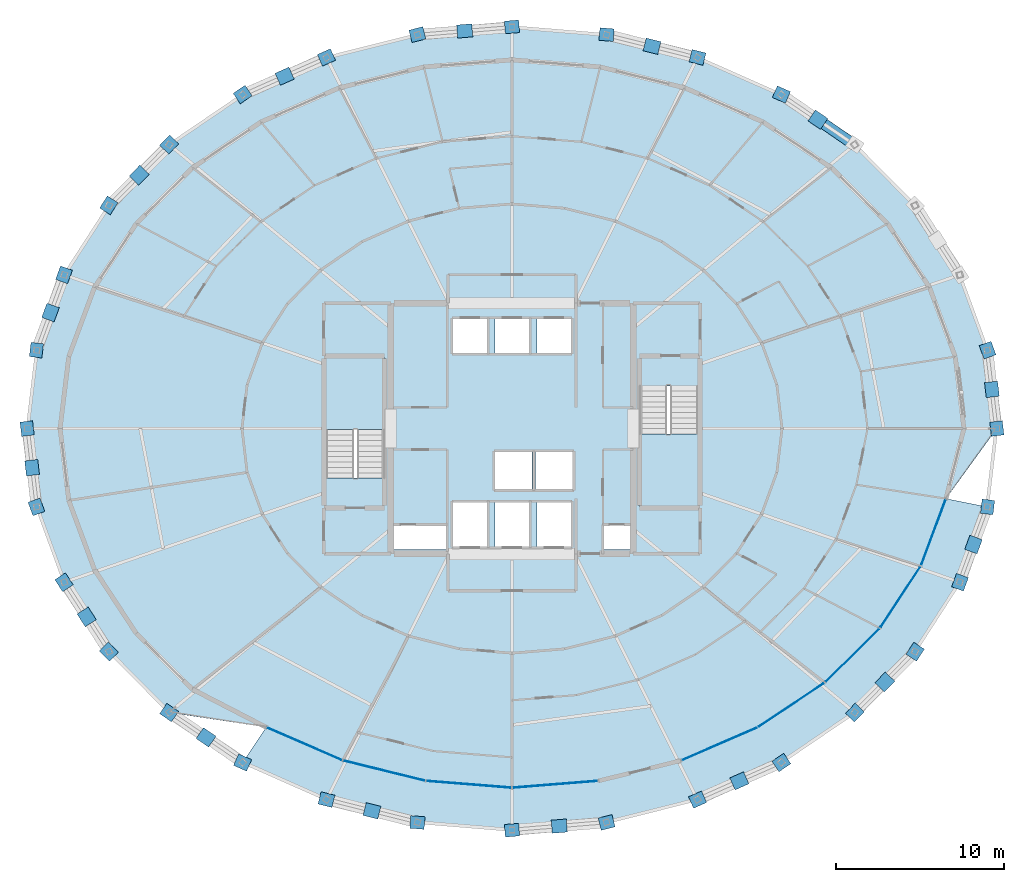
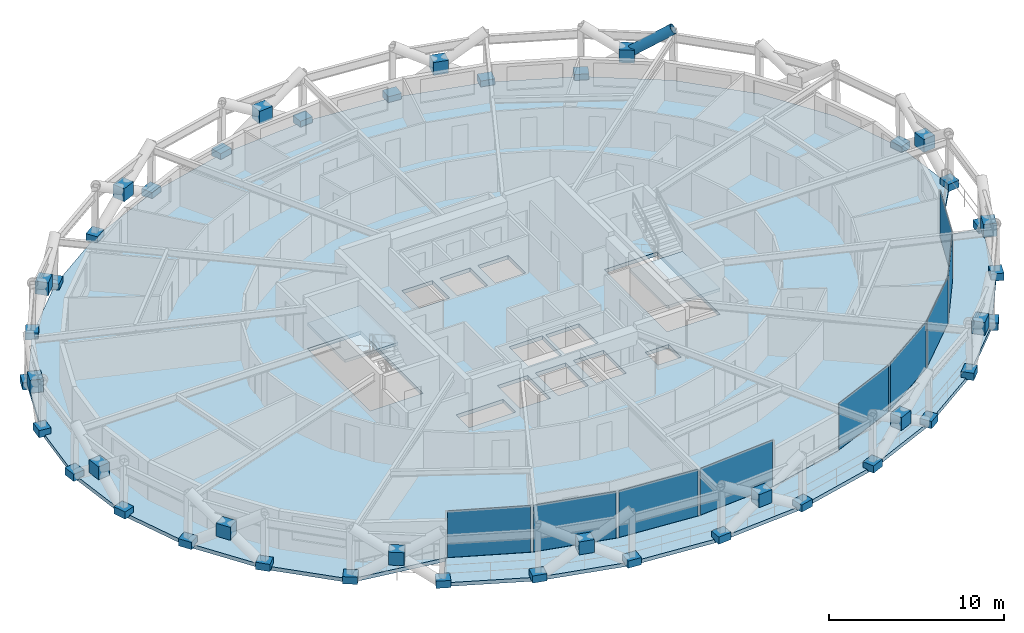
# One storey, part 14 of 23: 53 plates, 4 slabs, 1 member, 4 elements without a shape of their own.
"""IFC4 building model written with IfcOpenShell, lengths in metres."""

from ifc_helpers import new_model, si_unit, direction, frame, origin, origin_2d, place, context, subcontext, project, spatial, polyline, rectangle, hollow_circle, outline, extrude, material, layer, layer_set, material_profile, profile_set, type_object, element, aggregate, save


model = new_model("IFC4")

# Units and contexts
model_context = context("Model", 3, precision=1e-05, world=origin(), true_north=direction((0.0, 1.0)))
body_context = subcontext(model_context, "Body", "Model", "MODEL_VIEW")
ifc_project = project(units=[si_unit("LENGTHUNIT", "METRE"), si_unit("AREAUNIT", "SQUARE_METRE"), si_unit("VOLUMEUNIT", "CUBIC_METRE"), si_unit("PLANEANGLEUNIT", "RADIAN"), si_unit("MASSUNIT", "GRAM", prefix="KILO")], contexts=[model_context])

# Site, building, storey
site_placement = place(None, origin())
site = spatial("IfcSite", under=ifc_project, at=site_placement, CompositionType="ELEMENT")
building_placement = place(site_placement, origin())
building = spatial("IfcBuilding", under=site, at=building_placement, Name="Veldorina Hangang Commons", CompositionType="ELEMENT")
storey_placement = place(building_placement, frame((0.0, 0.0, 102.39990234375)))
storey = spatial("IfcBuildingStorey", under=building, at=storey_placement, Name="L26", CompositionType="ELEMENT", Elevation=102.39990234375)

# Member
ifc_material_1 = material(Name="Steel SM460-TMC", Category="steel")
ifc_material_profile = material_profile(ifc_material_1, hollow_circle(Radius=0.324951171875, WallThickness=0.031982421875, at=origin_2d()), Name="CHS-650x32")
ifc_profile_set = profile_set([ifc_material_profile], Name="Steel SM460-TMC")
member_type = type_object("IfcMemberType", Name="DG-CHS650", PredefinedType="BRACE", material=ifc_profile_set)
member_placement = place(storey_placement, frame((50.183349609375, 42.35595703125, 1.80126953125), z_axis=(0.680225795108, -0.468081092998, 0.564085949167), x_axis=(0.566878985771, 0.823801077622, 0.0)))
element("IfcMember", 1, at=member_placement, inside=storey, type_object=member_type, Name="L26 split perimeter diagrid upper brace 05", PredefinedType="BRACE", context=body_context, shape_type="SweptSolid", body=[
    extrude(hollow_circle(Radius=0.324951171875, WallThickness=0.031982421875, at=origin_2d()), origin(), (0.0, 0.0, 1.0), 3.18896484375),
])

# Curtain wall, plates
ifc_material_2 = material(Name="Glass Low-E Triple IGU", Category="glass")
ifc_layer_1 = layer(ifc_material_2, 0.179931640625)
ifc_layer_set_1 = layer_set([ifc_layer_1], Name="Glass Low-E Triple IGU")
curtain_wall_type = type_object("IfcCurtainWallType", Name="CW-SYS-Z1", PredefinedType="NOTDEFINED", material=ifc_layer_set_1)
curtain_wall_1_placement = place(storey_placement, origin())
curtain_wall_1 = element("IfcCurtainWall", 2, at=curtain_wall_1_placement, inside=storey, type_object=curtain_wall_type, Name="L26 unitised curtain wall CW-L26-R1", PredefinedType="NOTDEFINED")
ifc_layer_2 = layer(ifc_material_2, 0.0400390625)
ifc_layer_set_2 = layer_set([ifc_layer_2], Name="Glass Low-E Triple IGU")
plate_type_1 = type_object("IfcPlateType", Name="CW-PNL-VIS", PredefinedType="CURTAIN_PANEL", material=ifc_layer_set_2)
plate_1_placement = place(storey_placement, frame((19.662109375, 5.25830078125, 0.01513671875), z_axis=(0.0, 0.0, 1.0), x_axis=(0.917345178415, -0.398092732462, 0.0)))
plate_1 = element("IfcPlate", 3, at=plate_1_placement, type_object=plate_type_1, Name="CW-L26-R1 facet 1 glazed vision panel", PredefinedType="CURTAIN_PANEL", context=body_context, shape_type="SweptSolid", body=[
    extrude(rectangle(XDim=4.776611328125, YDim=0.0400390625, at=origin_2d()), origin(), (0.0, 0.0, 1.0), 3.22998046875),
])
plate_2_placement = place(storey_placement, frame((24.40234375, 3.664306640625, 0.01513671875), z_axis=(0.0, 0.0, 1.0), x_axis=(0.970980039243, -0.239160538953, 0.0)))
plate_2 = element("IfcPlate", 4, at=plate_2_placement, type_object=plate_type_1, Name="CW-L26-R1 facet 2 glazed vision panel", PredefinedType="CURTAIN_PANEL", context=body_context, shape_type="SweptSolid", body=[
    extrude(rectangle(XDim=4.901123046875, YDim=0.0400390625, at=origin_2d()), origin(), (0.0, 0.0, 1.0), 3.22998046875),
])
plate_3_placement = place(storey_placement, frame((29.4345703125, 2.851318359375, 0.01513671875), z_axis=(0.0, 0.0, 1.0), x_axis=(0.996817952017, -0.079711796718, 0.0)))
plate_3 = element("IfcPlate", 5, at=plate_3_placement, type_object=plate_type_1, Name="CW-L26-R1 facet 3 glazed vision panel", PredefinedType="CURTAIN_PANEL", context=body_context, shape_type="SweptSolid", body=[
    extrude(rectangle(XDim=4.96728515625, YDim=0.0400390625, at=origin_2d()), origin(), (0.0, 0.0, 1.0), 3.22998046875),
])
plate_4_placement = place(storey_placement, frame((34.5654296875, 2.851318359375, 0.01513671875), z_axis=(0.0, 0.0, 1.0), x_axis=(0.996817952017, 0.079711796718, 0.0)))
plate_4 = element("IfcPlate", 6, at=plate_4_placement, type_object=plate_type_1, Name="CW-L26-R1 facet 4 glazed vision panel", PredefinedType="CURTAIN_PANEL", context=body_context, shape_type="SweptSolid", body=[
    extrude(rectangle(XDim=4.96728515625, YDim=0.0400390625, at=origin_2d()), origin(), (0.0, 0.0, 1.0), 3.22998046875),
])
aggregate(curtain_wall_1, [plate_1, plate_2, plate_3, plate_4])

curtain_wall_2_placement = place(storey_placement, origin())
curtain_wall_2 = element("IfcCurtainWall", 7, at=curtain_wall_2_placement, inside=storey, type_object=curtain_wall_type, Name="L26 unitised curtain wall CW-L26-R2", PredefinedType="NOTDEFINED")
plate_5_placement = place(storey_placement, frame((44.337890625, 5.25830078125, 0.01513671875), z_axis=(0.0, 0.0, 1.0), x_axis=(0.917345178415, 0.398092732462, 0.0)))
plate_5 = element("IfcPlate", 8, at=plate_5_placement, type_object=plate_type_1, Name="CW-L26-R2 facet 1 glazed vision panel", PredefinedType="CURTAIN_PANEL", context=body_context, shape_type="SweptSolid", body=[
    extrude(rectangle(XDim=4.776611328125, YDim=0.0400390625, at=origin_2d()), origin(), (0.0, 0.0, 1.0), 3.22998046875),
])
plate_6_placement = place(storey_placement, frame((48.60400390625, 7.572998046875, 0.01513671875), z_axis=(0.0, 0.0, 1.0), x_axis=(0.832167105762, 0.554524939104, 0.0)))
plate_6 = element("IfcPlate", 9, at=plate_6_placement, type_object=plate_type_1, Name="CW-L26-R2 facet 2 glazed vision panel", PredefinedType="CURTAIN_PANEL", context=body_context, shape_type="SweptSolid", body=[
    extrude(rectangle(XDim=4.609130859375, YDim=0.0400390625, at=origin_2d()), origin(), (0.0, 0.0, 1.0), 3.22998046875),
])
plate_7_placement = place(storey_placement, frame((52.23193359375, 10.5185546875, 0.01513671875), z_axis=(0.0, 0.0, 1.0), x_axis=(0.710885404443, 0.703307857023, 0.0)))
plate_7 = element("IfcPlate", 10, at=plate_7_placement, type_object=plate_type_1, Name="CW-L26-R2 facet 3 glazed vision panel", PredefinedType="CURTAIN_PANEL", context=body_context, shape_type="SweptSolid", body=[
    extrude(rectangle(XDim=4.4208984375, YDim=0.0400390625, at=origin_2d()), origin(), (0.0, 0.0, 1.0), 3.22998046875),
])
plate_8_placement = place(storey_placement, frame((55.08251953125, 13.982421875, 0.01513671875), z_axis=(0.0, 0.0, 1.0), x_axis=(0.549868616794, 0.835251162385, 0.0)))
plate_8 = element("IfcPlate", 11, at=plate_8_placement, type_object=plate_type_1, Name="CW-L26-R2 facet 4 glazed vision panel", PredefinedType="CURTAIN_PANEL", context=body_context, shape_type="SweptSolid", body=[
    extrude(rectangle(XDim=4.239990234375, YDim=0.0400390625, at=origin_2d()), origin(), (0.0, 0.0, 1.0), 3.22998046875),
])
plate_9_placement = place(storey_placement, frame((57.0458984375, 17.831298828125, 0.01513671875), z_axis=(0.0, 0.0, 1.0), x_axis=(0.349978498615, 0.936757733092, 0.0)))
plate_9 = element("IfcPlate", 12, at=plate_9_placement, type_object=plate_type_1, Name="CW-L26-R2 facet 5 glazed vision panel", PredefinedType="CURTAIN_PANEL", context=body_context, shape_type="SweptSolid", body=[
    extrude(rectangle(XDim=4.09619140625, YDim=0.0400390625, at=origin_2d()), origin(), (0.0, 0.0, 1.0), 3.22998046875),
])
aggregate(curtain_wall_2, [plate_5, plate_6, plate_7, plate_8, plate_9])

# Plates
ifc_layer_3 = layer(ifc_material_1, 0.035888671875)
ifc_layer_set_3 = layer_set([ifc_layer_3], Name="Steel SM460-TMC")
plate_type_2 = type_object("IfcPlateType", Name="PL-STAR-36", PredefinedType="USERDEFINED", material=ifc_layer_set_3)
plate_10_placement = place(storey_placement, frame((60.819580078125, 24.0, -0.08984375), z_axis=(0.0, 0.0, 1.0), x_axis=(-0.11807468197, 0.993004717752, 0.0)))
element("IfcPlate", 13, at=plate_10_placement, inside=storey, type_object=plate_type_2, Name="L26 diagrid star-node gusset plate 00", ObjectType="GUSSET PLATE", PredefinedType="USERDEFINED", context=body_context, shape_type="SweptSolid", body=[
    extrude(rectangle(XDim=0.85009765625, YDim=0.75, at=origin_2d()), origin(), (0.0, 0.0, 1.0), 0.5),
])
plate_11_placement = place(storey_placement, frame((60.5244140625, 26.327392578125, 1.35107421875), z_axis=(0.0, 0.0, 1.0), x_axis=(-0.11807468197, 0.993004717752, 0.0)))
element("IfcPlate", 14, at=plate_11_placement, inside=storey, type_object=plate_type_2, Name="L26 diagrid X-crossing star-node gusset plate 00", ObjectType="GUSSET PLATE", PredefinedType="USERDEFINED", context=body_context, shape_type="SweptSolid", body=[
    extrude(rectangle(XDim=0.89990234375, YDim=0.780029296875, at=origin_2d()), origin(), (0.0, 0.0, 1.0), 0.89990234375),
])
plate_12_placement = place(storey_placement, frame((60.265869140625, 28.657470703125, -0.08984375), z_axis=(0.0, 0.0, 1.0), x_axis=(-0.343856370487, 0.93902225558, 0.0)))
element("IfcPlate", 15, at=plate_12_placement, inside=storey, type_object=plate_type_2, Name="L26 diagrid star-node gusset plate 01", ObjectType="GUSSET PLATE", PredefinedType="USERDEFINED", context=body_context, shape_type="SweptSolid", body=[
    extrude(rectangle(XDim=0.85009765625, YDim=0.75, at=origin_2d()), origin(), (0.0, 0.0, 1.0), 0.5),
])
plate_13_placement = place(storey_placement, frame((50.183349609375, 42.35595703125, 1.351318359375), z_axis=(0.0, 0.0, 1.0), x_axis=(-0.826992272221, 0.56221328843, 0.0)))
element("IfcPlate", 16, at=plate_13_placement, inside=storey, type_object=plate_type_2, Name="L26 diagrid X-crossing star-node gusset plate 04", ObjectType="GUSSET PLATE", PredefinedType="USERDEFINED", context=body_context, shape_type="SweptSolid", body=[
    extrude(rectangle(XDim=0.89990234375, YDim=0.780029296875, at=origin_2d()), origin(), (0.0, 0.0, 1.0), 0.89990234375),
])
for number, where, z_axis, x_axis, name in (
    (17, (48.01123046875, 43.850341796875, -0.08984375), (0.0, 0.0, 1.0), (-0.914381189099, 0.404854345441, 0.0), "L26 diagrid star-node gusset plate 05"),
    (18, (43.02880859375, 46.056396484375, -0.08984375), (0.0, 0.0, 1.0), (-0.969846498662, 0.24371657521, 0.0), "L26 diagrid star-node gusset plate 06"),
):
    element("IfcPlate", number, at=place(storey_placement, frame(where, z_axis=z_axis, x_axis=x_axis)), inside=storey, type_object=plate_type_2, Name=name, ObjectType="GUSSET PLATE", PredefinedType="USERDEFINED", context=body_context, shape_type="SweptSolid", body=[
        extrude(rectangle(XDim=0.85009765625, YDim=0.75, at=origin_2d()), origin(), (0.0, 0.0, 1.0), 0.5),
    ])
plate_14_placement = place(storey_placement, frame((40.3203125, 46.7236328125, 1.351318359375), z_axis=(0.0, 0.0, 1.0), x_axis=(-0.969846498662, 0.24371657521, 0.0)))
element("IfcPlate", 19, at=plate_14_placement, inside=storey, type_object=plate_type_2, Name="L26 diagrid X-crossing star-node gusset plate 06", ObjectType="GUSSET PLATE", PredefinedType="USERDEFINED", context=body_context, shape_type="SweptSolid", body=[
    extrude(rectangle(XDim=0.89990234375, YDim=0.780029296875, at=origin_2d()), origin(), (0.0, 0.0, 1.0), 0.89990234375),
])
for number, where, z_axis, x_axis, name in (
    (20, (37.622314453125, 47.4150390625, -0.08984375), (0.0, 0.0, 1.0), (-0.99668867357, 0.081312286759, 0.0), "L26 diagrid star-node gusset plate 07"),
    (21, (32.0, 47.873779296875, -0.08984375), (0.0, 0.0, 1.0), (-0.99668867357, -0.081312286759, 0.0), "L26 diagrid star-node gusset plate 08"),
):
    element("IfcPlate", number, at=place(storey_placement, frame(where, z_axis=z_axis, x_axis=x_axis)), inside=storey, type_object=plate_type_2, Name=name, ObjectType="GUSSET PLATE", PredefinedType="USERDEFINED", context=body_context, shape_type="SweptSolid", body=[
        extrude(rectangle(XDim=0.85009765625, YDim=0.75, at=origin_2d()), origin(), (0.0, 0.0, 1.0), 0.5),
    ])
plate_15_placement = place(storey_placement, frame((29.190673828125, 47.631591796875, 1.351318359375), z_axis=(0.0, 0.0, 1.0), x_axis=(-0.99668867357, -0.081312286759, 0.0)))
element("IfcPlate", 22, at=plate_15_placement, inside=storey, type_object=plate_type_2, Name="L26 diagrid X-crossing star-node gusset plate 08", ObjectType="GUSSET PLATE", PredefinedType="USERDEFINED", context=body_context, shape_type="SweptSolid", body=[
    extrude(rectangle(XDim=0.89990234375, YDim=0.780029296875, at=origin_2d()), origin(), (0.0, 0.0, 1.0), 0.89990234375),
])
for number, where, z_axis, x_axis, name in (
    (23, (26.377685546875, 47.4150390625, -0.08984375), (0.0, 0.0, 1.0), (-0.969846498662, -0.24371657521, 0.0), "L26 diagrid star-node gusset plate 09"),
    (24, (20.97119140625, 46.056396484375, -0.08984375), (0.0, 0.0, 1.0), (-0.914381189099, -0.404854345441, 0.0), "L26 diagrid star-node gusset plate 10"),
):
    element("IfcPlate", number, at=place(storey_placement, frame(where, z_axis=z_axis, x_axis=x_axis)), inside=storey, type_object=plate_type_2, Name=name, ObjectType="GUSSET PLATE", PredefinedType="USERDEFINED", context=body_context, shape_type="SweptSolid", body=[
        extrude(rectangle(XDim=0.85009765625, YDim=0.75, at=origin_2d()), origin(), (0.0, 0.0, 1.0), 0.5),
    ])
plate_16_placement = place(storey_placement, frame((18.488525390625, 44.94189453125, 1.351318359375), z_axis=(0.0, 0.0, 1.0), x_axis=(-0.914381189099, -0.404854345441, 0.0)))
element("IfcPlate", 25, at=plate_16_placement, inside=storey, type_object=plate_type_2, Name="L26 diagrid X-crossing star-node gusset plate 10", ObjectType="GUSSET PLATE", PredefinedType="USERDEFINED", context=body_context, shape_type="SweptSolid", body=[
    extrude(rectangle(XDim=0.89990234375, YDim=0.780029296875, at=origin_2d()), origin(), (0.0, 0.0, 1.0), 0.89990234375),
])
for number, where, z_axis, x_axis, name in (
    (26, (15.98876953125, 43.850341796875, -0.08984375), (0.0, 0.0, 1.0), (-0.826992272221, -0.56221328843, 0.0), "L26 diagrid star-node gusset plate 11"),
    (27, (11.62158203125, 40.88134765625, -0.08984375), (0.0, 0.0, 1.0), (-0.703791578402, -0.710406513322, 0.0), "L26 diagrid star-node gusset plate 12"),
):
    element("IfcPlate", number, at=place(storey_placement, frame(where, z_axis=z_axis, x_axis=x_axis)), inside=storey, type_object=plate_type_2, Name=name, ObjectType="GUSSET PLATE", PredefinedType="USERDEFINED", context=body_context, shape_type="SweptSolid", body=[
        extrude(rectangle(XDim=0.85009765625, YDim=0.75, at=origin_2d()), origin(), (0.0, 0.0, 1.0), 0.5),
    ])
plate_17_placement = place(storey_placement, frame((9.84375, 39.064208984375, 1.351318359375), z_axis=(0.0, 0.0, 1.0), x_axis=(-0.703791578402, -0.710406513322, 0.0)))
element("IfcPlate", 28, at=plate_17_placement, inside=storey, type_object=plate_type_2, Name="L26 diagrid X-crossing star-node gusset plate 12", ObjectType="GUSSET PLATE", PredefinedType="USERDEFINED", context=body_context, shape_type="SweptSolid", body=[
    extrude(rectangle(XDim=0.89990234375, YDim=0.780029296875, at=origin_2d()), origin(), (0.0, 0.0, 1.0), 0.89990234375),
])
for number, where, z_axis, x_axis, name in (
    (29, (8.037353515625, 37.263427734375, -0.08984375), (0.0, 0.0, 1.0), (-0.542177586725, -0.840263925474, 0.0), "L26 diagrid star-node gusset plate 13"),
    (30, (5.374267578125, 33.135986328125, -0.08984375), (0.0, 0.0, 1.0), (-0.343856370487, -0.93902225558, 0.0), "L26 diagrid star-node gusset plate 14"),
):
    element("IfcPlate", number, at=place(storey_placement, frame(where, z_axis=z_axis, x_axis=x_axis)), inside=storey, type_object=plate_type_2, Name=name, ObjectType="GUSSET PLATE", PredefinedType="USERDEFINED", context=body_context, shape_type="SweptSolid", body=[
        extrude(rectangle(XDim=0.85009765625, YDim=0.75, at=origin_2d()), origin(), (0.0, 0.0, 1.0), 0.5),
    ])
plate_18_placement = place(storey_placement, frame((4.57177734375, 30.89306640625, 1.35107421875), z_axis=(0.0, 0.0, 1.0), x_axis=(-0.343856370487, -0.93902225558, 0.0)))
element("IfcPlate", 31, at=plate_18_placement, inside=storey, type_object=plate_type_2, Name="L26 diagrid X-crossing star-node gusset plate 14", ObjectType="GUSSET PLATE", PredefinedType="USERDEFINED", context=body_context, shape_type="SweptSolid", body=[
    extrude(rectangle(XDim=0.89990234375, YDim=0.780029296875, at=origin_2d()), origin(), (0.0, 0.0, 1.0), 0.89990234375),
])
for number, where, z_axis, x_axis, name in (
    (32, (3.734130859375, 28.657470703125, -0.08984375), (0.0, 0.0, 1.0), (-0.11807468197, -0.993004717752, 0.0), "L26 diagrid star-node gusset plate 15"),
    (33, (3.180419921875, 24.0, -0.08984375), (0.0, 0.0, 1.0), (0.11807468197, -0.993004717752, 0.0), "L26 diagrid star-node gusset plate 16"),
):
    element("IfcPlate", number, at=place(storey_placement, frame(where, z_axis=z_axis, x_axis=x_axis)), inside=storey, type_object=plate_type_2, Name=name, ObjectType="GUSSET PLATE", PredefinedType="USERDEFINED", context=body_context, shape_type="SweptSolid", body=[
        extrude(rectangle(XDim=0.85009765625, YDim=0.75, at=origin_2d()), origin(), (0.0, 0.0, 1.0), 0.5),
    ])
plate_19_placement = place(storey_placement, frame((3.4755859375, 21.672607421875, 1.35107421875), z_axis=(0.0, 0.0, 1.0), x_axis=(0.11807468197, -0.993004717752, 0.0)))
element("IfcPlate", 34, at=plate_19_placement, inside=storey, type_object=plate_type_2, Name="L26 diagrid X-crossing star-node gusset plate 16", ObjectType="GUSSET PLATE", PredefinedType="USERDEFINED", context=body_context, shape_type="SweptSolid", body=[
    extrude(rectangle(XDim=0.89990234375, YDim=0.780029296875, at=origin_2d()), origin(), (0.0, 0.0, 1.0), 0.89990234375),
])
for number, where, z_axis, x_axis, name in (
    (35, (3.734130859375, 19.342529296875, -0.08984375), (0.0, 0.0, 1.0), (0.343856370487, -0.93902225558, 0.0), "L26 diagrid star-node gusset plate 17"),
    (36, (5.374267578125, 14.864013671875, -0.08984375), (0.0, 0.0, 1.0), (0.542177586725, -0.840263925474, 0.0), "L26 diagrid star-node gusset plate 18"),
):
    element("IfcPlate", number, at=place(storey_placement, frame(where, z_axis=z_axis, x_axis=x_axis)), inside=storey, type_object=plate_type_2, Name=name, ObjectType="GUSSET PLATE", PredefinedType="USERDEFINED", context=body_context, shape_type="SweptSolid", body=[
        extrude(rectangle(XDim=0.85009765625, YDim=0.75, at=origin_2d()), origin(), (0.0, 0.0, 1.0), 0.5),
    ])
plate_20_placement = place(storey_placement, frame((6.7216796875, 12.80615234375, 1.35107421875), z_axis=(0.0, 0.0, 1.0), x_axis=(0.542177586725, -0.840263925474, 0.0)))
element("IfcPlate", 37, at=plate_20_placement, inside=storey, type_object=plate_type_2, Name="L26 diagrid X-crossing star-node gusset plate 18", ObjectType="GUSSET PLATE", PredefinedType="USERDEFINED", context=body_context, shape_type="SweptSolid", body=[
    extrude(rectangle(XDim=0.89990234375, YDim=0.780029296875, at=origin_2d()), origin(), (0.0, 0.0, 1.0), 0.89990234375),
])
for number, where, z_axis, x_axis, name in (
    (38, (8.037353515625, 10.736572265625, -0.08984375), (0.0, 0.0, 1.0), (0.703791578402, -0.710406513322, 0.0), "L26 diagrid star-node gusset plate 19"),
    (39, (11.62158203125, 7.11865234375, -0.08984375), (0.0, 0.0, 1.0), (0.826992272221, -0.56221328843, 0.0), "L26 diagrid star-node gusset plate 20"),
):
    element("IfcPlate", number, at=place(storey_placement, frame(where, z_axis=z_axis, x_axis=x_axis)), inside=storey, type_object=plate_type_2, Name=name, ObjectType="GUSSET PLATE", PredefinedType="USERDEFINED", context=body_context, shape_type="SweptSolid", body=[
        extrude(rectangle(XDim=0.85009765625, YDim=0.75, at=origin_2d()), origin(), (0.0, 0.0, 1.0), 0.5),
    ])
plate_21_placement = place(storey_placement, frame((13.816650390625, 5.64404296875, 1.351318359375), z_axis=(0.0, 0.0, 1.0), x_axis=(0.826992272221, -0.56221328843, 0.0)))
element("IfcPlate", 40, at=plate_21_placement, inside=storey, type_object=plate_type_2, Name="L26 diagrid X-crossing star-node gusset plate 20", ObjectType="GUSSET PLATE", PredefinedType="USERDEFINED", context=body_context, shape_type="SweptSolid", body=[
    extrude(rectangle(XDim=0.89990234375, YDim=0.780029296875, at=origin_2d()), origin(), (0.0, 0.0, 1.0), 0.89990234375),
])
for number, where, z_axis, x_axis, name in (
    (41, (15.98876953125, 4.149658203125, -0.08984375), (0.0, 0.0, 1.0), (0.914381189099, -0.404854345441, 0.0), "L26 diagrid star-node gusset plate 21"),
    (42, (20.97119140625, 1.943603515625, -0.08984375), (0.0, 0.0, 1.0), (0.969846498662, -0.24371657521, 0.0), "L26 diagrid star-node gusset plate 22"),
):
    element("IfcPlate", number, at=place(storey_placement, frame(where, z_axis=z_axis, x_axis=x_axis)), inside=storey, type_object=plate_type_2, Name=name, ObjectType="GUSSET PLATE", PredefinedType="USERDEFINED", context=body_context, shape_type="SweptSolid", body=[
        extrude(rectangle(XDim=0.85009765625, YDim=0.75, at=origin_2d()), origin(), (0.0, 0.0, 1.0), 0.5),
    ])
plate_22_placement = place(storey_placement, frame((23.6796875, 1.2763671875, 1.351318359375), z_axis=(0.0, 0.0, 1.0), x_axis=(0.969846498662, -0.24371657521, 0.0)))
element("IfcPlate", 43, at=plate_22_placement, inside=storey, type_object=plate_type_2, Name="L26 diagrid X-crossing star-node gusset plate 22", ObjectType="GUSSET PLATE", PredefinedType="USERDEFINED", context=body_context, shape_type="SweptSolid", body=[
    extrude(rectangle(XDim=0.89990234375, YDim=0.780029296875, at=origin_2d()), origin(), (0.0, 0.0, 1.0), 0.89990234375),
])
for number, where, z_axis, x_axis, name in (
    (44, (26.377685546875, 0.5849609375, -0.08984375), (0.0, 0.0, 1.0), (0.99668867357, -0.081312286759, 0.0), "L26 diagrid star-node gusset plate 23"),
    (45, (32.0, 0.126220703125, -0.08984375), (0.0, 0.0, 1.0), (0.99668867357, 0.081312286759, 0.0), "L26 diagrid star-node gusset plate 24"),
):
    element("IfcPlate", number, at=place(storey_placement, frame(where, z_axis=z_axis, x_axis=x_axis)), inside=storey, type_object=plate_type_2, Name=name, ObjectType="GUSSET PLATE", PredefinedType="USERDEFINED", context=body_context, shape_type="SweptSolid", body=[
        extrude(rectangle(XDim=0.85009765625, YDim=0.75, at=origin_2d()), origin(), (0.0, 0.0, 1.0), 0.5),
    ])
plate_23_placement = place(storey_placement, frame((34.809326171875, 0.368408203125, 1.351318359375), z_axis=(0.0, 0.0, 1.0), x_axis=(0.99668867357, 0.081312286759, 0.0)))
element("IfcPlate", 46, at=plate_23_placement, inside=storey, type_object=plate_type_2, Name="L26 diagrid X-crossing star-node gusset plate 24", ObjectType="GUSSET PLATE", PredefinedType="USERDEFINED", context=body_context, shape_type="SweptSolid", body=[
    extrude(rectangle(XDim=0.89990234375, YDim=0.780029296875, at=origin_2d()), origin(), (0.0, 0.0, 1.0), 0.89990234375),
])
for number, where, z_axis, x_axis, name in (
    (47, (37.622314453125, 0.5849609375, -0.08984375), (0.0, 0.0, 1.0), (0.969846498662, 0.24371657521, 0.0), "L26 diagrid star-node gusset plate 25"),
    (48, (43.02880859375, 1.943603515625, -0.08984375), (0.0, 0.0, 1.0), (0.914381189099, 0.404854345441, 0.0), "L26 diagrid star-node gusset plate 26"),
):
    element("IfcPlate", number, at=place(storey_placement, frame(where, z_axis=z_axis, x_axis=x_axis)), inside=storey, type_object=plate_type_2, Name=name, ObjectType="GUSSET PLATE", PredefinedType="USERDEFINED", context=body_context, shape_type="SweptSolid", body=[
        extrude(rectangle(XDim=0.85009765625, YDim=0.75, at=origin_2d()), origin(), (0.0, 0.0, 1.0), 0.5),
    ])
plate_24_placement = place(storey_placement, frame((45.511474609375, 3.05810546875, 1.351318359375), z_axis=(0.0, 0.0, 1.0), x_axis=(0.914381189099, 0.404854345441, 0.0)))
element("IfcPlate", 49, at=plate_24_placement, inside=storey, type_object=plate_type_2, Name="L26 diagrid X-crossing star-node gusset plate 26", ObjectType="GUSSET PLATE", PredefinedType="USERDEFINED", context=body_context, shape_type="SweptSolid", body=[
    extrude(rectangle(XDim=0.89990234375, YDim=0.780029296875, at=origin_2d()), origin(), (0.0, 0.0, 1.0), 0.89990234375),
])
for number, where, z_axis, x_axis, name in (
    (50, (48.01123046875, 4.149658203125, -0.08984375), (0.0, 0.0, 1.0), (0.826992272221, 0.56221328843, 0.0), "L26 diagrid star-node gusset plate 27"),
    (51, (52.37841796875, 7.11865234375, -0.08984375), (0.0, 0.0, 1.0), (0.703791578402, 0.710406513322, 0.0), "L26 diagrid star-node gusset plate 28"),
):
    element("IfcPlate", number, at=place(storey_placement, frame(where, z_axis=z_axis, x_axis=x_axis)), inside=storey, type_object=plate_type_2, Name=name, ObjectType="GUSSET PLATE", PredefinedType="USERDEFINED", context=body_context, shape_type="SweptSolid", body=[
        extrude(rectangle(XDim=0.85009765625, YDim=0.75, at=origin_2d()), origin(), (0.0, 0.0, 1.0), 0.5),
    ])
plate_25_placement = place(storey_placement, frame((54.15625, 8.935791015625, 1.351318359375), z_axis=(0.0, 0.0, 1.0), x_axis=(0.703791578402, 0.710406513322, 0.0)))
element("IfcPlate", 52, at=plate_25_placement, inside=storey, type_object=plate_type_2, Name="L26 diagrid X-crossing star-node gusset plate 28", ObjectType="GUSSET PLATE", PredefinedType="USERDEFINED", context=body_context, shape_type="SweptSolid", body=[
    extrude(rectangle(XDim=0.89990234375, YDim=0.780029296875, at=origin_2d()), origin(), (0.0, 0.0, 1.0), 0.89990234375),
])
for number, where, z_axis, x_axis, name in (
    (53, (55.962646484375, 10.736572265625, -0.08984375), (0.0, 0.0, 1.0), (0.542177586725, 0.840263925474, 0.0), "L26 diagrid star-node gusset plate 29"),
    (54, (58.625732421875, 14.864013671875, -0.08984375), (0.0, 0.0, 1.0), (0.343856370487, 0.93902225558, 0.0), "L26 diagrid star-node gusset plate 30"),
):
    element("IfcPlate", number, at=place(storey_placement, frame(where, z_axis=z_axis, x_axis=x_axis)), inside=storey, type_object=plate_type_2, Name=name, ObjectType="GUSSET PLATE", PredefinedType="USERDEFINED", context=body_context, shape_type="SweptSolid", body=[
        extrude(rectangle(XDim=0.85009765625, YDim=0.75, at=origin_2d()), origin(), (0.0, 0.0, 1.0), 0.5),
    ])
plate_26_placement = place(storey_placement, frame((59.42822265625, 17.10693359375, 1.35107421875), z_axis=(0.0, 0.0, 1.0), x_axis=(0.343856370487, 0.93902225558, 0.0)))
element("IfcPlate", 55, at=plate_26_placement, inside=storey, type_object=plate_type_2, Name="L26 diagrid X-crossing star-node gusset plate 30", ObjectType="GUSSET PLATE", PredefinedType="USERDEFINED", context=body_context, shape_type="SweptSolid", body=[
    extrude(rectangle(XDim=0.89990234375, YDim=0.780029296875, at=origin_2d()), origin(), (0.0, 0.0, 1.0), 0.89990234375),
])
plate_27_placement = place(storey_placement, frame((60.265869140625, 19.342529296875, -0.08984375), z_axis=(0.0, 0.0, 1.0), x_axis=(0.11807468197, 0.993004717752, 0.0)))
element("IfcPlate", 56, at=plate_27_placement, inside=storey, type_object=plate_type_2, Name="L26 diagrid star-node gusset plate 31", ObjectType="GUSSET PLATE", PredefinedType="USERDEFINED", context=body_context, shape_type="SweptSolid", body=[
    extrude(rectangle(XDim=0.85009765625, YDim=0.75, at=origin_2d()), origin(), (0.0, 0.0, 1.0), 0.5),
])

# Slabs
ifc_material_3 = material(Name="Concrete C40/50", Category="concrete")
ifc_layer_4 = layer(ifc_material_3, 0.260009765625)
ifc_layer_set_4 = layer_set([ifc_layer_4], Name="Concrete C40/50")
slab_type_1 = type_object("IfcSlabType", Name="SL-FLR-260", PredefinedType="FLOOR", material=ifc_layer_set_4)
slab_1_placement = place(storey_placement, frame((0.0, 0.0, -0.260009765625)))
element("IfcSlab", 57, at=slab_1_placement, inside=storey, type_object=slab_type_1, Name="L26 tower structural floor slab", PredefinedType="FLOOR", context=body_context, shape_type="SweptSolid", body=[
    extrude(outline(polyline([(60.819580078125, 24.0), (60.265869140625, 28.657470703125), (58.625732421875, 33.135986328125), (55.962646484375, 37.263427734375), (52.37841796875, 40.88134765625), (48.01123046875, 43.850341796875), (43.02880859375, 46.056396484375), (37.622314453125, 47.4150390625), (32.0, 47.873779296875), (26.377685546875, 47.4150390625), (20.97119140625, 46.056396484375), (15.98876953125, 43.850341796875), (11.62158203125, 40.88134765625), (8.037353515625, 37.263427734375), (5.374267578125, 33.135986328125), (3.734130859375, 28.657470703125), (3.180419921875, 24.0), (3.734130859375, 19.342529296875), (5.374267578125, 14.864013671875), (8.037353515625, 10.736572265625), (11.62158203125, 7.11865234375), (17.388671875, 6.2451171875), (21.935546875, 4.271728515625), (26.869140625, 3.056640625), (32.0, 2.646240234375), (37.130859375, 3.056640625), (42.064453125, 4.271728515625), (46.611328125, 6.2451171875), (50.5966796875, 8.900634765625), (53.8671875, 12.136474609375), (56.297607421875, 15.828369140625), (57.794189453125, 19.833984375), (60.819580078125, 24.0)]), holes=[polyline([(20.949951171875, 21.05810546875), (20.949951171875, 28.199951171875), (24.449951171875, 28.199951171875), (24.449951171875, 21.05810546875), (20.949951171875, 21.05810546875)]), polyline([(43.050048828125, 26.5419921875), (43.050048828125, 19.39990234375), (39.550048828125, 19.39990234375), (39.550048828125, 26.5419921875), (43.050048828125, 26.5419921875)]), polyline([(28.5, 30.5), (30.5, 30.5), (30.5, 28.5), (28.5, 28.5), (28.5, 30.5)]), polyline([(31.0, 30.5), (33.0, 30.5), (33.0, 28.5), (31.0, 28.5), (31.0, 30.5)]), polyline([(33.5, 30.5), (35.5, 30.5), (35.5, 28.5), (33.5, 28.5), (33.5, 30.5)]), polyline([(31.0, 22.60009765625), (33.199951171875, 22.60009765625), (33.199951171875, 20.39990234375), (31.0, 20.39990234375), (31.0, 22.60009765625)]), polyline([(33.39990234375, 22.60009765625), (35.60009765625, 22.60009765625), (35.60009765625, 20.39990234375), (33.39990234375, 20.39990234375), (33.39990234375, 22.60009765625)]), polyline([(28.5, 19.60009765625), (30.5, 19.60009765625), (30.5, 17.0), (28.5, 17.0), (28.5, 19.60009765625)]), polyline([(31.0, 19.60009765625), (33.0, 19.60009765625), (33.0, 17.0), (31.0, 17.0), (31.0, 19.60009765625)]), polyline([(33.5, 19.60009765625), (35.5, 19.60009765625), (35.5, 17.0), (33.5, 17.0), (33.5, 19.60009765625)]), polyline([(25.0, 18.25), (28.10009765625, 18.25), (28.10009765625, 16.800048828125), (25.0, 16.800048828125), (25.0, 18.25)]), polyline([(37.449951171875, 18.25), (39.0, 18.25), (39.0, 16.800048828125), (37.449951171875, 16.800048828125), (37.449951171875, 18.25)])]), origin(), (0.0, 0.0, 1.0), 0.260009765625),
])
slab_2_placement = place(storey_placement, frame((0.0, 0.0, -0.260009765625)))
element("IfcSlab", 58, at=slab_2_placement, inside=storey, type_object=slab_type_1, Name="L26 sky-garden loggia outdoor slab", PredefinedType="FLOOR", context=body_context, shape_type="SweptSolid", body=[
    extrude(outline(polyline([(60.265869140625, 19.342529296875), (58.625732421875, 14.864013671875), (55.962646484375, 10.736572265625), (52.37841796875, 7.11865234375), (48.01123046875, 4.149658203125), (43.02880859375, 1.943603515625), (37.622314453125, 0.5849609375), (32.0, 0.126220703125), (26.377685546875, 0.5849609375), (20.97119140625, 1.943603515625), (15.98876953125, 4.149658203125), (17.37939453125, 6.231201171875), (17.384521484375, 6.23046875), (21.9296875, 4.258056640625), (21.930908203125, 4.257568359375), (21.931884765625, 4.257080078125), (26.865478515625, 3.0419921875), (26.86669921875, 3.041748046875), (26.867919921875, 3.04150390625), (31.998779296875, 2.63134765625), (32.0, 2.63134765625), (32.001220703125, 2.63134765625), (37.132080078125, 3.04150390625), (37.13330078125, 3.041748046875), (37.134521484375, 3.0419921875), (42.068115234375, 4.257080078125), (42.069091796875, 4.257568359375), (42.0703125, 4.258056640625), (46.6171875, 6.231201171875), (46.618408203125, 6.231689453125), (46.61962890625, 6.232421875), (50.60498046875, 8.88818359375), (50.606201171875, 8.88916015625), (50.607177734375, 8.889892578125), (53.877685546875, 12.125732421875), (53.87890625, 12.126953125), (53.8798828125, 12.12841796875), (56.310302734375, 15.820068359375), (56.31103515625, 15.821533203125), (56.311767578125, 15.822998046875), (57.8076171875, 19.826904296875), (57.810546875, 19.830810546875), (60.265869140625, 19.342529296875)])), origin(), (0.0, 0.0, 1.0), 0.260009765625),
])

# Stair, slab
stair_type = type_object("IfcStairType", Name="STR-DOG-1650-20R", PredefinedType="HALF_TURN_STAIR", material=ifc_material_3)
stair_1_placement = place(storey_placement, origin())
stair_1 = element("IfcStair", 59, at=stair_1_placement, inside=storey, type_object=stair_type, Name="L26 Exit stair ST-1", PredefinedType="HALF_TURN_STAIR")
ifc_layer_5 = layer(ifc_material_3, 0.199951171875)
ifc_layer_set_5 = layer_set([ifc_layer_5], Name="Concrete C40/50")
slab_type_2 = type_object("IfcSlabType", Name="SL-LND-200", PredefinedType="LANDING", material=ifc_layer_set_5)
slab_3_placement = place(storey_placement, frame((0.0, 0.0, 1.60009765625)))
slab_3 = element("IfcSlab", 60, at=slab_3_placement, type_object=slab_type_2, Name="ST-1 landing 1", PredefinedType="LANDING", context=body_context, shape_type="SweptSolid", body=[
    extrude(outline(polyline([(24.449951171875, 23.929931640625), (24.449951171875, 28.199951171875), (20.949951171875, 28.199951171875), (20.949951171875, 23.929931640625), (24.449951171875, 23.929931640625)])), origin(), (0.0, 0.0, 1.0), 0.199951171875),
])
aggregate(stair_1, [slab_3])

stair_2_placement = place(storey_placement, origin())
stair_2 = element("IfcStair", 61, at=stair_2_placement, inside=storey, type_object=stair_type, Name="L26 Exit stair ST-2", PredefinedType="HALF_TURN_STAIR")
slab_4_placement = place(storey_placement, frame((0.0, 0.0, 1.60009765625)))
slab_4 = element("IfcSlab", 62, at=slab_4_placement, type_object=slab_type_2, Name="ST-2 landing 1", PredefinedType="LANDING", context=body_context, shape_type="SweptSolid", body=[
    extrude(outline(polyline([(39.550048828125, 23.669921875), (39.550048828125, 19.39990234375), (43.050048828125, 19.39990234375), (43.050048828125, 23.669921875), (39.550048828125, 23.669921875)])), origin(), (0.0, 0.0, 1.0), 0.199951171875),
])
aggregate(stair_2, [slab_4])

save(model, "model.ifc")
